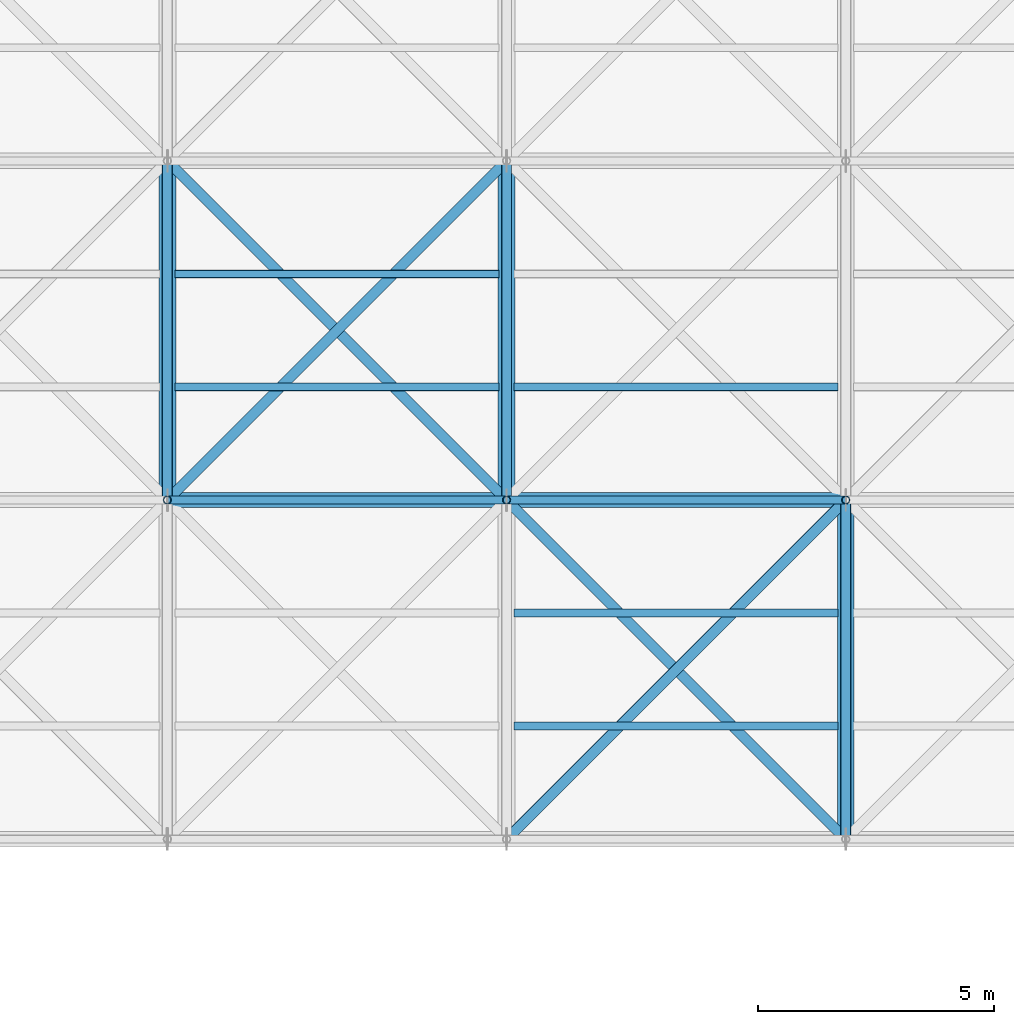
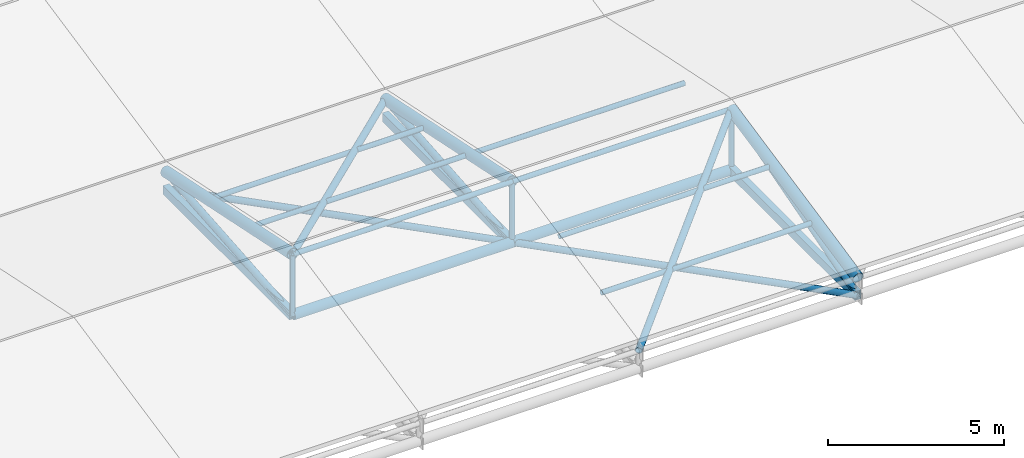
# One storey, part 29 of 72: 19 members, 6 beams.
"""IFC4 building model written with IfcOpenShell, lengths in metres."""

from ifc_helpers import new_model, si_unit, direction, frame, origin, origin_2d, place, context, subcontext, project, spatial, hollow_rectangle, hollow_circle, extrude, material, material_profile, profile_set, type_object, element, save


model = new_model("IFC4")

# Units and contexts
model_context = context("Model", 3, precision=1e-05, world=origin(), true_north=direction((0.0, 1.0)))
body_context = subcontext(model_context, "Body", "Model", "MODEL_VIEW")
ifc_project = project(units=[si_unit("LENGTHUNIT", "METRE"), si_unit("AREAUNIT", "SQUARE_METRE"), si_unit("VOLUMEUNIT", "CUBIC_METRE"), si_unit("PLANEANGLEUNIT", "RADIAN"), si_unit("MASSUNIT", "GRAM", prefix="KILO")], contexts=[model_context])

# Site, building, storey
site_placement = place(None, origin())
site = spatial("IfcSite", under=ifc_project, at=site_placement, CompositionType="ELEMENT")
building_placement = place(site_placement, origin())
building = spatial("IfcBuilding", under=site, at=building_placement, Name="Vaelcorin Mobility Hub", CompositionType="ELEMENT")
storey_placement = place(building_placement, frame((0.0, 0.0, 25.800048828125)))
storey = spatial("IfcBuildingStorey", under=building, at=storey_placement, Name="RF", CompositionType="ELEMENT", Elevation=25.800048828125)

# Members
ifc_material = material(Name="Steel ASTM A500 Grade C", Category="steel")
ifc_material_profile_1 = material_profile(ifc_material, hollow_circle(Radius=0.161865234375, WallThickness=0.0126953125, at=origin_2d()), Name="HSS12.750X0.500")
ifc_profile_set_1 = profile_set([ifc_material_profile_1], Name="Steel ASTM A500 Grade C")
member_type_1 = type_object("IfcMemberType", Name="SF-CHORD-12", PredefinedType="CHORD", material=ifc_profile_set_1)
member_1_placement = place(storey_placement, frame((86.39990234375, 91.199951171875, -2.10009765625), z_axis=(1.0, 0.0, 0.0), x_axis=(0.0, 1.0, 0.0)))
element("IfcMember", 1, at=member_1_placement, inside=storey, type_object=member_type_1, Name="Sports Truss Lower Tie Strut 8-1", PredefinedType="CHORD", context=body_context, shape_type="SweptSolid", body=[
    extrude(hollow_circle(Radius=0.161865234375, WallThickness=0.0126953125, at=origin_2d()), origin(), (0.0, 0.0, 1.0), 7.2001953125),
])
member_2_placement = place(storey_placement, frame((93.60009765625, 91.199951171875, -2.10009765625), z_axis=(1.0, 0.0, 0.0), x_axis=(0.0, 1.0, 0.0)))
element("IfcMember", 2, at=member_2_placement, inside=storey, type_object=member_type_1, Name="Sports Truss Lower Tie Strut 9-1", PredefinedType="CHORD", context=body_context, shape_type="SweptSolid", body=[
    extrude(hollow_circle(Radius=0.161865234375, WallThickness=0.0126953125, at=origin_2d()), origin(), (0.0, 0.0, 1.0), 7.199951171875),
])
ifc_material_profile_2 = material_profile(ifc_material, hollow_circle(Radius=0.109619140625, WallThickness=0.009521484375, at=origin_2d()), Name="HSS8.625X0.375")
ifc_profile_set_2 = profile_set([ifc_material_profile_2], Name="Steel ASTM A500 Grade C")
member_type_2 = type_object("IfcMemberType", Name="SF-DIAG-8", PredefinedType="BRACE", material=ifc_profile_set_2)
member_3_placement = place(storey_placement, frame((86.39990234375, 91.199951171875, 0.0), z_axis=(0.699568856162, 0.699545135531, -0.145739558262), x_axis=(-0.70709479277, 0.7071187694, 0.0)))
element("IfcMember", 3, at=member_3_placement, inside=storey, type_object=member_type_2, Name="Sports Roof Space-Truss Plan Brace 8-2", PredefinedType="BRACE", context=body_context, shape_type="SweptSolid", body=[
    extrude(hollow_circle(Radius=0.109619140625, WallThickness=0.009521484375, at=origin_2d()), origin(), (0.0, 0.0, 1.0), 10.292236328125),
])
member_4_placement = place(storey_placement, frame((93.60009765625, 91.199951171875, -2.10009765625), z_axis=(-0.7071187694, 0.70709479277, 0.0), x_axis=(-0.70709479277, -0.7071187694, 0.0)))
element("IfcMember", 4, at=member_4_placement, inside=storey, type_object=member_type_2, Name="Sports Truss Lower Plan Brace 8-2", PredefinedType="BRACE", context=body_context, shape_type="SweptSolid", body=[
    extrude(hollow_circle(Radius=0.109619140625, WallThickness=0.009521484375, at=origin_2d()), origin(), (0.0, 0.0, 1.0), 10.182373046875),
])
member_5_placement = place(storey_placement, frame((93.60009765625, 84.0, -1.5), z_axis=(0.699556744026, 0.699556744026, 0.145741976715), x_axis=(-0.707106781187, 0.707106781187, 0.0)))
element("IfcMember", 5, at=member_5_placement, inside=storey, type_object=member_type_2, Name="Sports Roof Space-Truss Plan Brace 9-1", PredefinedType="BRACE", context=body_context, shape_type="SweptSolid", body=[
    extrude(hollow_circle(Radius=0.109619140625, WallThickness=0.009521484375, at=origin_2d()), origin(), (0.0, 0.0, 1.0), 10.292236328125),
])
member_6_placement = place(storey_placement, frame((100.800048828125, 84.0, -2.10009765625), z_axis=(-0.707106781187, 0.707106781187, 0.0), x_axis=(-0.707106781187, -0.707106781187, 0.0)))
element("IfcMember", 6, at=member_6_placement, inside=storey, type_object=member_type_2, Name="Sports Truss Lower Plan Brace 9-1", PredefinedType="BRACE", context=body_context, shape_type="SweptSolid", body=[
    extrude(hollow_circle(Radius=0.109619140625, WallThickness=0.009521484375, at=origin_2d()), origin(), (0.0, 0.0, 1.0), 10.182373046875),
])
ifc_material_profile_3 = material_profile(ifc_material, hollow_circle(Radius=0.084228515625, WallThickness=0.0078125, at=origin_2d()), Name="HSS6.625X0.312")
ifc_profile_set_3 = profile_set([ifc_material_profile_3], Name="Steel ASTM A500 Grade C")
member_type_3 = type_object("IfcMemberType", Name="SF-PURL-6", PredefinedType="PURLIN", material=ifc_profile_set_3)
member_7_placement = place(storey_placement, frame((86.39990234375, 91.199951171875, 0.0), z_axis=(1.0, 0.0, 0.0), x_axis=(0.0, 1.0, 0.0)))
element("IfcMember", 7, at=member_7_placement, inside=storey, type_object=member_type_3, Name="Sports Pavilion Roof Purlin 8-1", PredefinedType="PURLIN", context=body_context, shape_type="SweptSolid", body=[
    extrude(hollow_circle(Radius=0.084228515625, WallThickness=0.0078125, at=origin_2d()), origin(), (0.0, 0.0, 1.0), 7.2001953125),
])
for number, where, z_axis, x_axis, name in (
    (8, (86.56005859375, 93.60009765625, -0.5), (1.0, 0.0, 0.0), (0.0, 1.0, 0.0), "Sports Roof Secondary Purlin 8-2-1"),
    (9, (86.56005859375, 96.0, -1.0), (1.0, 0.0, 0.0), (0.0, 1.0, 0.0), "Sports Roof Secondary Purlin 8-2-2"),
):
    element("IfcMember", number, at=place(storey_placement, frame(where, z_axis=z_axis, x_axis=x_axis)), inside=storey, type_object=member_type_3, Name=name, PredefinedType="PURLIN", context=body_context, shape_type="SweptSolid", body=[
        extrude(hollow_circle(Radius=0.084228515625, WallThickness=0.0078125, at=origin_2d()), origin(), (0.0, 0.0, 1.0), 6.8798828125),
    ])
member_8_placement = place(storey_placement, frame((93.60009765625, 91.199951171875, 0.0), z_axis=(1.0, 0.0, 0.0), x_axis=(0.0, 1.0, 0.0)))
element("IfcMember", 10, at=member_8_placement, inside=storey, type_object=member_type_3, Name="Sports Pavilion Roof Purlin 9-1", PredefinedType="PURLIN", context=body_context, shape_type="SweptSolid", body=[
    extrude(hollow_circle(Radius=0.084228515625, WallThickness=0.0078125, at=origin_2d()), origin(), (0.0, 0.0, 1.0), 7.199951171875),
])
for number, where, z_axis, x_axis, name in (
    (11, (93.760009765625, 86.39990234375, -1.0), (1.0, 0.0, 0.0), (0.0, 1.0, 0.0), "Sports Roof Secondary Purlin 9-1-1"),
    (12, (93.760009765625, 88.800048828125, -0.5), (1.0, 0.0, 0.0), (0.0, 1.0, 0.0), "Sports Roof Secondary Purlin 9-1-2"),
    (13, (93.760009765625, 93.60009765625, -0.5), (1.0, 0.0, 0.0), (0.0, 1.0, 0.0), "Sports Roof Secondary Purlin 9-2-1"),
):
    element("IfcMember", number, at=place(storey_placement, frame(where, z_axis=z_axis, x_axis=x_axis)), inside=storey, type_object=member_type_3, Name=name, PredefinedType="PURLIN", context=body_context, shape_type="SweptSolid", body=[
        extrude(hollow_circle(Radius=0.084228515625, WallThickness=0.0078125, at=origin_2d()), origin(), (0.0, 0.0, 1.0), 6.8798828125),
    ])

# Beams
ifc_material_profile_4 = material_profile(ifc_material, hollow_circle(Radius=0.177734375, WallThickness=0.0126953125, at=origin_2d()), Name="HSS14.000X0.500")
ifc_profile_set_4 = profile_set([ifc_material_profile_4], Name="Steel ASTM A500 Grade C")
beam_type_1 = type_object("IfcBeamType", Name="TR-CHORD-14", PredefinedType="BEAM", material=ifc_profile_set_4)
for number, where, z_axis, x_axis, name in (
    (14, (86.39990234375, 91.199951171875, 0.0), (0.0, 0.978980143565, -0.203955579738), (-1.0, 0.0, 0.0), "Sports Pavilion Roof Truss Upper Chord 7-2"),
    (15, (93.60009765625, 91.199951171875, 0.0), (0.0, 0.978980143565, -0.203955579738), (-1.0, 0.0, 0.0), "Sports Pavilion Roof Truss Upper Chord 8-2"),
    (16, (100.800048828125, 84.0, -1.5), (0.0, 0.978980143565, 0.203955579738), (-1.0, 0.0, 0.0), "Sports Pavilion Roof Truss Upper Chord 9-1"),
):
    element("IfcBeam", number, at=place(storey_placement, frame(where, z_axis=z_axis, x_axis=x_axis)), inside=storey, type_object=beam_type_1, Name=name, PredefinedType="BEAM", context=body_context, shape_type="SweptSolid", body=[
        extrude(hollow_circle(Radius=0.177734375, WallThickness=0.0126953125, at=origin_2d()), origin(), (0.0, 0.0, 1.0), 7.3544921875),
    ])
ifc_material_profile_5 = material_profile(ifc_material, hollow_rectangle(XDim=0.203125, YDim=0.3046875, WallThickness=0.01171875, at=origin_2d()), Name="HSS12X8X0.500")
ifc_profile_set_5 = profile_set([ifc_material_profile_5], Name="Steel ASTM A500 Grade C")
beam_type_2 = type_object("IfcBeamType", Name="TR-CHORD-RHS12", PredefinedType="BEAM", material=ifc_profile_set_5)
for number, where, z_axis, x_axis, name in (
    (17, (86.39990234375, 91.199951171875, -2.10009765625), (0.0, 1.0, 0.0), (-1.0, 0.0, 0.0), "Sports Pavilion Roof Truss Bottom Chord 7-2"),
    (18, (93.60009765625, 91.199951171875, -2.10009765625), (0.0, 1.0, 0.0), (-1.0, 0.0, 0.0), "Sports Pavilion Roof Truss Bottom Chord 8-2"),
    (19, (100.800048828125, 84.0, -2.10009765625), (0.0, 1.0, 0.0), (-1.0, 0.0, 0.0), "Sports Pavilion Roof Truss Bottom Chord 9-1"),
):
    element("IfcBeam", number, at=place(storey_placement, frame(where, z_axis=z_axis, x_axis=x_axis)), inside=storey, type_object=beam_type_2, Name=name, PredefinedType="BEAM", context=body_context, shape_type="SweptSolid", body=[
        extrude(hollow_rectangle(XDim=0.203125, YDim=0.3046875, WallThickness=0.01171875, at=origin_2d()), origin(), (0.0, 0.0, 1.0), 7.199951171875),
    ])

# Members
ifc_material_profile_6 = material_profile(ifc_material, hollow_circle(Radius=0.084228515625, WallThickness=0.0078125, at=origin_2d()), Name="HSS6.625X0.312")
ifc_profile_set_6 = profile_set([ifc_material_profile_6], Name="Steel ASTM A500 Grade C")
member_type_4 = type_object("IfcMemberType", Name="TR-POST-6", PredefinedType="POST", material=ifc_profile_set_6)
for number, where, z_axis, x_axis, name in (
    (20, (86.39990234375, 91.199951171875, -2.10009765625), (0.0, 0.0, 1.0), (1.0, 0.0, 0.0), "Sports Pavilion Roof Truss Post 7-1"),
    (21, (93.60009765625, 91.199951171875, -2.10009765625), (0.0, 0.0, 1.0), (1.0, 0.0, 0.0), "Sports Pavilion Roof Truss Post 8-1"),
    (22, (100.800048828125, 91.199951171875, -2.10009765625), (0.0, 0.0, 1.0), (1.0, 0.0, 0.0), "Sports Pavilion Roof Truss Post 9-1"),
):
    element("IfcMember", number, at=place(storey_placement, frame(where, z_axis=z_axis, x_axis=x_axis)), inside=storey, type_object=member_type_4, Name=name, PredefinedType="POST", context=body_context, shape_type="SweptSolid", body=[
        extrude(hollow_circle(Radius=0.084228515625, WallThickness=0.0078125, at=origin_2d()), origin(), (0.0, 0.0, 1.0), 2.10009765625),
    ])
ifc_material_profile_7 = material_profile(ifc_material, hollow_circle(Radius=0.109619140625, WallThickness=0.009521484375, at=origin_2d()), Name="HSS8.625X0.375")
ifc_profile_set_7 = profile_set([ifc_material_profile_7], Name="Steel ASTM A500 Grade C")
member_type_5 = type_object("IfcMemberType", Name="TR-WEB-8", PredefinedType="BRACE", material=ifc_profile_set_7)
for number, where, z_axis, x_axis, name in (
    (23, (86.39990234375, 91.199951171875, -2.10009765625), (0.0, 0.996544592923, 0.083059462528), (-1.0, 0.0, 0.0), "Sports Pavilion Roof Truss Diagonal 7-2"),
    (24, (93.60009765625, 91.199951171875, -2.10009765625), (0.0, 0.996544592923, 0.083059462528), (-1.0, 0.0, 0.0), "Sports Pavilion Roof Truss Diagonal 8-2"),
):
    element("IfcMember", number, at=place(storey_placement, frame(where, z_axis=z_axis, x_axis=x_axis)), inside=storey, type_object=member_type_5, Name=name, PredefinedType="BRACE", context=body_context, shape_type="SweptSolid", body=[
        extrude(hollow_circle(Radius=0.109619140625, WallThickness=0.009521484375, at=origin_2d()), origin(), (0.0, 0.0, 1.0), 7.224853515625),
    ])
member_9_placement = place(storey_placement, frame((100.800048828125, 84.0, -2.10009765625), z_axis=(0.0, 0.959995989474, 0.280013750007), x_axis=(-1.0, 0.0, 0.0)))
element("IfcMember", 25, at=member_9_placement, inside=storey, type_object=member_type_5, Name="Sports Pavilion Roof Truss Diagonal 9-1", PredefinedType="BRACE", context=body_context, shape_type="SweptSolid", body=[
    extrude(hollow_circle(Radius=0.109619140625, WallThickness=0.009521484375, at=origin_2d()), origin(), (0.0, 0.0, 1.0), 7.5),
])

save(model, "model.ifc")
